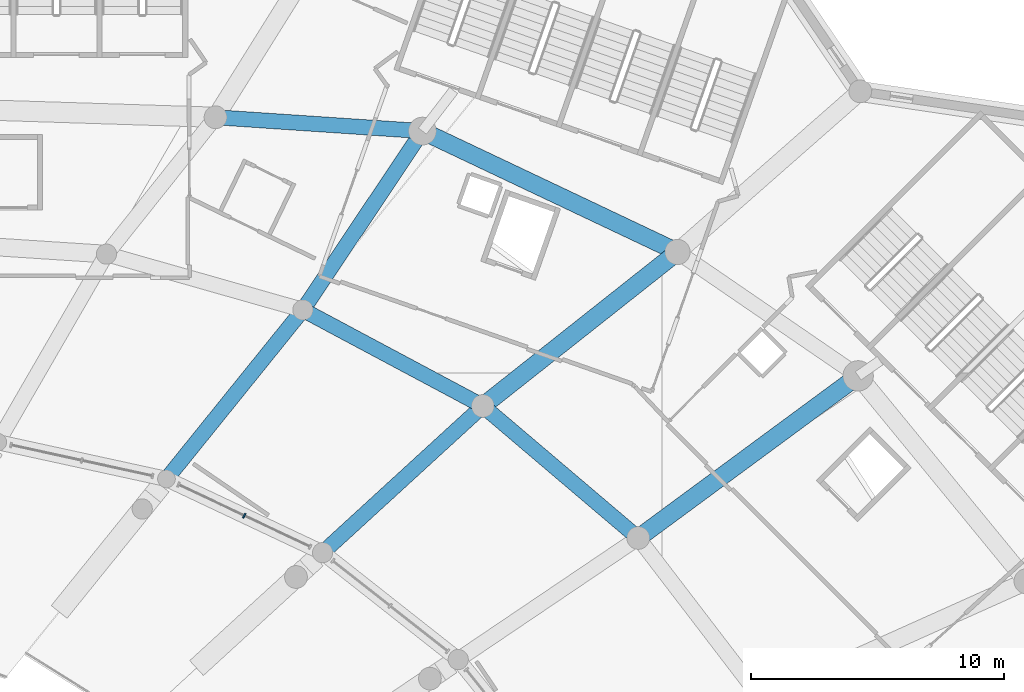
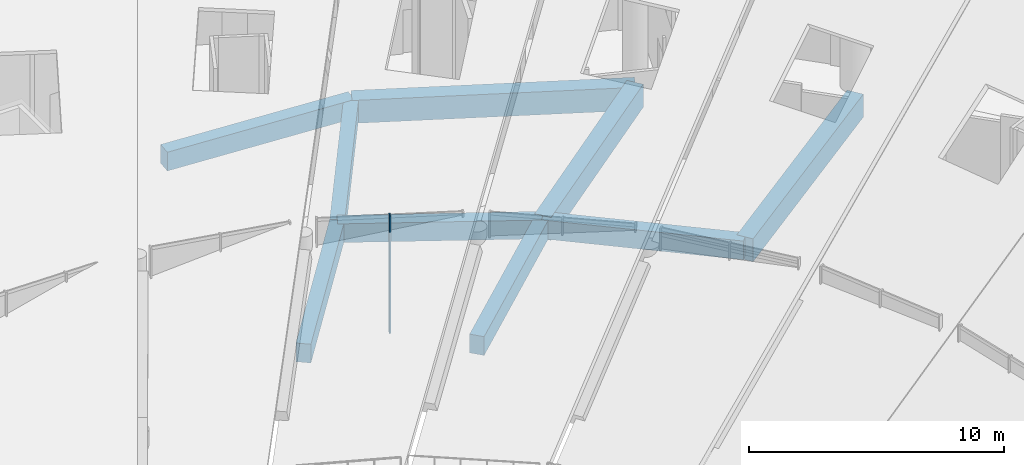
# One storey, part 89 of 249: 9 beams, 1 member, 1 element without a shape of its own.
"""IFC4 building model written with IfcOpenShell, lengths in metres."""

from ifc_helpers import new_model, si_unit, direction, frame, origin, origin_2d, place, context, subcontext, project, spatial, rectangle, extrude, material, layer, layer_set, material_profile, profile_set, type_object, element, aggregate, save


model = new_model("IFC4")

# Units and contexts
model_context = context("Model", 3, precision=1e-05, world=origin(), true_north=direction((0.0, 1.0)))
body_context = subcontext(model_context, "Body", "Model", "MODEL_VIEW")
ifc_project = project(units=[si_unit("LENGTHUNIT", "METRE"), si_unit("AREAUNIT", "SQUARE_METRE"), si_unit("VOLUMEUNIT", "CUBIC_METRE"), si_unit("PLANEANGLEUNIT", "RADIAN"), si_unit("MASSUNIT", "GRAM", prefix="KILO")], contexts=[model_context])

# Site, building, storey
site_placement = place(None, origin())
site = spatial("IfcSite", under=ifc_project, at=site_placement, CompositionType="ELEMENT")
building_placement = place(site_placement, origin())
building = spatial("IfcBuilding", under=site, at=building_placement, Name="Meseta Stadium", CompositionType="ELEMENT")
storey_placement = place(building_placement, frame((0.0, 0.0, 12.0)))
storey = spatial("IfcBuildingStorey", under=building, at=storey_placement, Name="L02", CompositionType="ELEMENT", Elevation=12.0)

# Curtain wall, member
ifc_material_1 = material(Name="Aluminium", Category="aluminium")
ifc_layer = layer(ifc_material_1, 0.199951171875)
ifc_layer_set = layer_set([ifc_layer], Name="Suite glazing curtain wall")
curtain_wall_type = type_object("IfcCurtainWallType", Name="Suite glazing curtain wall", PredefinedType="NOTDEFINED", material=ifc_layer_set)
curtain_wall_placement = place(storey_placement, origin())
curtain_wall = element("IfcCurtainWall", 1, at=curtain_wall_placement, inside=storey, type_object=curtain_wall_type, Name="Suite glazing bay 13", PredefinedType="NOTDEFINED")
ifc_material_2 = material(Name="Aluminium", Category="aluminium")
ifc_material_profile_1 = material_profile(ifc_material_2, rectangle(XDim=0.199951171875, YDim=0.06005859375, at=origin_2d()), Name="CW 200x60")
ifc_profile_set_1 = profile_set([ifc_material_profile_1], Name="Aluminium")
member_type = type_object("IfcMemberType", Name="CW mullion 60x200", PredefinedType="MULLION", material=ifc_profile_set_1)
member_placement = place(storey_placement, frame((47.4697265625, 74.352783203125, 0.0), z_axis=(0.0, 0.0, 1.0), x_axis=(-0.426837356076, -0.904328409074, 0.0)))
member = element("IfcMember", 2, at=member_placement, type_object=member_type, Name="CWS mullion 2", PredefinedType="MULLION", context=body_context, shape_type="SweptSolid", body=[
    extrude(rectangle(XDim=0.199951171875, YDim=0.06005859375, at=origin_2d()), origin(), (0.0, 0.0, 1.0), 5.64990234375),
])
aggregate(curtain_wall, [member])

# Beams
ifc_material_3 = material(Name="Concrete C40/50", Category="concrete")
ifc_material_profile_2 = material_profile(ifc_material_3, rectangle(XDim=0.60009765625, YDim=0.89990234375, at=origin_2d()), Name="RC 600x900")
ifc_profile_set_2 = profile_set([ifc_material_profile_2], Name="Concrete C40/50")
beam_type_1 = type_object("IfcBeamType", Name="RC beam 600x900", PredefinedType="BEAM", material=ifc_profile_set_2)
beam_1_placement = place(storey_placement, frame((63.068115234375, 73.469970703125, -0.800048828125), z_axis=(-0.762201166724, 0.647340236231, 0.0), x_axis=(-0.647340236231, -0.762201166724, 0.0)))
element("IfcBeam", 3, at=beam_1_placement, inside=storey, type_object=beam_type_1, Name="L02 ring beam frame 12 line E", PredefinedType="BEAM", context=body_context, shape_type="SweptSolid", body=[
    extrude(rectangle(XDim=0.60009765625, YDim=0.89990234375, at=origin_2d()), origin(), (0.0, 0.0, 1.0), 8.07275390625),
])
beam_2_placement = place(storey_placement, frame((56.9150390625, 78.69580078125, -0.800048828125), z_axis=(-0.882172948557, 0.47092556613, 0.0), x_axis=(-0.47092556613, -0.882172948557, 0.0)))
element("IfcBeam", 4, at=beam_2_placement, inside=storey, type_object=beam_type_1, Name="L02 ring beam frame 13 line E", PredefinedType="BEAM", context=body_context, shape_type="SweptSolid", body=[
    extrude(rectangle(XDim=0.60009765625, YDim=0.89990234375, at=origin_2d()), origin(), (0.0, 0.0, 1.0), 8.075439453125),
])
beam_3_placement = place(storey_placement, frame((54.523193359375, 89.579345703125, -0.800048828125), z_axis=(-0.997778045289, 0.066625613231, 0.0), x_axis=(-0.066625613231, -0.997778045289, 0.0)))
element("IfcBeam", 5, at=beam_3_placement, inside=storey, type_object=beam_type_1, Name="L02 ring beam frame 14 line P", PredefinedType="BEAM", context=body_context, shape_type="SweptSolid", body=[
    extrude(rectangle(XDim=0.60009765625, YDim=0.89990234375, at=origin_2d()), origin(), (0.0, 0.0, 1.0), 8.208251953125),
])
for number, where, z_axis, x_axis, name in (
    (6, (50.571533203125, 72.888916015625, -0.800048828125), (0.737617073742, 0.675219262554, 0.0), (-0.675219262554, 0.737617073742, 0.0), "L02 radial beam frame 13 line D to E"),
    (7, (44.389892578125, 75.806396484375, -0.800048828125), (0.628037063111, 0.778183427836, 0.0), (-0.778183427836, 0.628037063111, 0.0), "L02 radial beam frame 14 line D to E"),
):
    element("IfcBeam", number, at=place(storey_placement, frame(where, z_axis=z_axis, x_axis=x_axis)), inside=storey, type_object=beam_type_1, Name=name, PredefinedType="BEAM", context=body_context, shape_type="SweptSolid", body=[
        extrude(rectangle(XDim=0.60009765625, YDim=0.89990234375, at=origin_2d()), origin(), (0.0, 0.0, 1.0), 8.60009765625),
    ])
beam_4_placement = place(storey_placement, frame((49.791015625, 82.498779296875, -0.800048828125), z_axis=(0.555659080942, 0.831410239152, 0.0), x_axis=(-0.831410239152, 0.555659080942, 0.0)))
element("IfcBeam", 8, at=beam_4_placement, inside=storey, type_object=beam_type_1, Name="L02 radial beam frame 14 line E to P", PredefinedType="BEAM", context=body_context, shape_type="SweptSolid", body=[
    extrude(rectangle(XDim=0.60009765625, YDim=0.89990234375, at=origin_2d()), origin(), (0.0, 0.0, 1.0), 8.516357421875),
])
ifc_material_4 = material(Name="Concrete C40/50", Category="concrete")
ifc_material_profile_3 = material_profile(ifc_material_4, rectangle(XDim=0.699951171875, YDim=1.10009765625, at=origin_2d()), Name="RC 700x1100")
ifc_profile_set_3 = profile_set([ifc_material_profile_3], Name="Concrete C40/50")
beam_type_2 = type_object("IfcBeamType", Name="RC beam 700x1100", PredefinedType="BEAM", material=ifc_profile_set_3)
beam_5_placement = place(storey_placement, frame((64.6220703125, 84.79248046875, -0.89990234375), z_axis=(-0.903627495473, 0.428319214402, 0.0), x_axis=(-0.428319214402, -0.903627495473, 0.0)))
element("IfcBeam", 9, at=beam_5_placement, inside=storey, type_object=beam_type_2, Name="L02 ring beam frame 13 line P", PredefinedType="BEAM", context=body_context, shape_type="SweptSolid", body=[
    extrude(rectangle(XDim=0.699951171875, YDim=1.10009765625, at=origin_2d()), origin(), (0.0, 0.0, 1.0), 11.176025390625),
])
beam_6_placement = place(storey_placement, frame((63.068115234375, 73.469970703125, -0.89990234375), z_axis=(0.804920808124, 0.593382248344, 0.0), x_axis=(-0.593382248344, 0.804920808124, 0.0)))
element("IfcBeam", 10, at=beam_6_placement, inside=storey, type_object=beam_type_2, Name="L02 radial beam frame 12 line E to P", PredefinedType="BEAM", context=body_context, shape_type="SweptSolid", body=[
    extrude(rectangle(XDim=0.699951171875, YDim=1.10009765625, at=origin_2d()), origin(), (0.0, 0.0, 1.0), 10.817626953125),
])
beam_7_placement = place(storey_placement, frame((56.9150390625, 78.69580078125, -0.89990234375), z_axis=(0.784279521113, 0.620407634352, 0.0), x_axis=(-0.620407634352, 0.784279521113, 0.0)))
element("IfcBeam", 11, at=beam_7_placement, inside=storey, type_object=beam_type_2, Name="L02 radial beam frame 13 line E to P", PredefinedType="BEAM", context=body_context, shape_type="SweptSolid", body=[
    extrude(rectangle(XDim=0.699951171875, YDim=1.10009765625, at=origin_2d()), origin(), (0.0, 0.0, 1.0), 9.826904296875),
])

save(model, "model.ifc")
